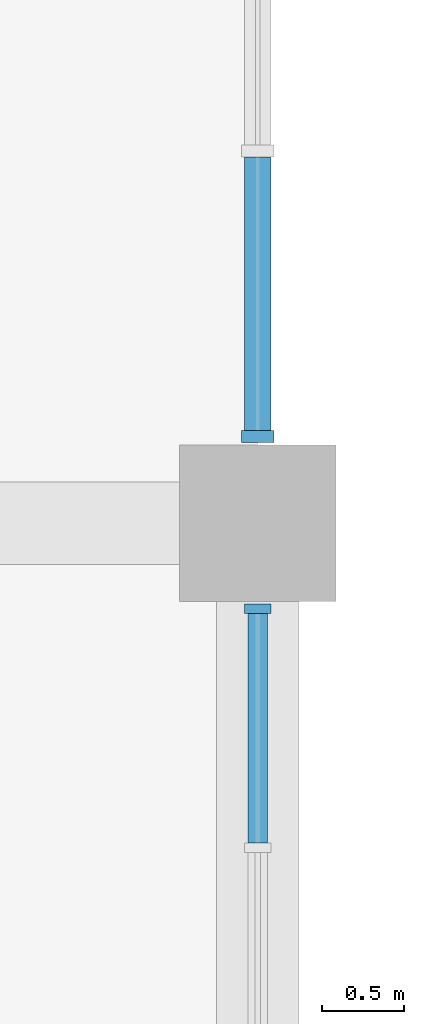
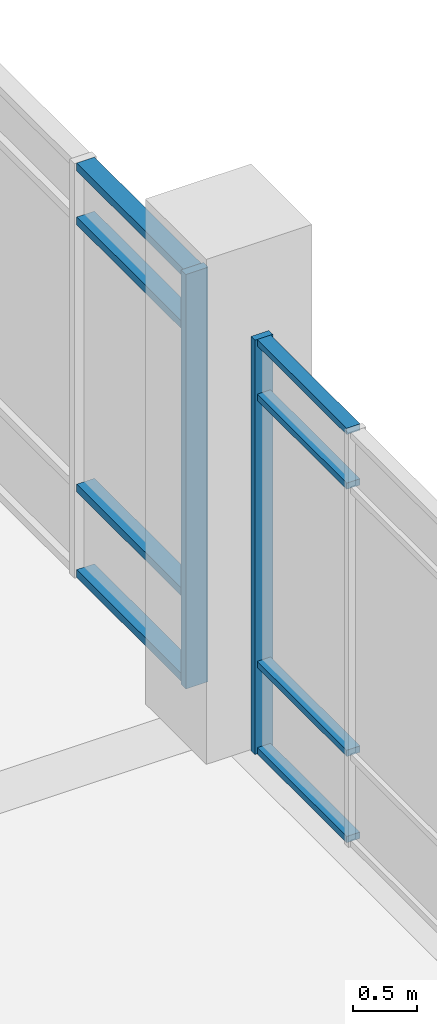
# One storey, part 77 of 152: 10 members, 2 elements without a shape of their own.
"""IFC4 building model written with IfcOpenShell, lengths in metres."""

import ifcopenshell
import ifcopenshell.guid

model = None  # the IFC model being written
_history = None  # IfcOwnerHistory: only IFC2X3 demands one
_inside = {}  # id of a spatial element -> (the spatial element, [elements in it])
_under = {}  # id of a project, library or spatial element -> (it, [spatial elements below it])
_declared = {}  # id of a project -> (the project, [libraries it declares])
_typed = {}  # id of a type object -> (the type object, [elements of that type])
_made_of = {}  # id of a material, layer set ... -> (it, [elements and type objects made of it])


def new_model(schema):
    """Start an empty IFC model of exactly this schema.

    Asked for "IFC4X3", IfcOpenShell would pick the latest addendum, in which some entities
    have other attributes; the version numbers below select the first issue.
    IFC2X3 requires an IfcOwnerHistory on every rooted entity: one is made here for all.
    """
    global model, _history
    if schema == "IFC4X3":
        model = ifcopenshell.file(schema_version=(4, 3, 0, 0))
    else:
        model = ifcopenshell.file(schema=schema)
    _inside.clear()
    _under.clear()
    _declared.clear()
    _typed.clear()
    _made_of.clear()
    _history = None
    if model.schema == "IFC2X3":
        org = make("IfcOrganization", Name="unknown")
        user = make(
            "IfcPersonAndOrganization",
            ThePerson=make("IfcPerson", FamilyName="unknown"),
            TheOrganization=org,
        )
        app = make(
            "IfcApplication",
            ApplicationDeveloper=org,
            Version="unknown",
            ApplicationFullName="unknown",
            ApplicationIdentifier="unknown",
        )
        _history = make(
            "IfcOwnerHistory",
            OwningUser=user,
            OwningApplication=app,
            ChangeAction="ADDED",
            CreationDate=0,
        )
    return model


def make(cls, **values):
    """One entity of the class cls with the attributes given. An attribute that is None is left unset."""
    return model.create_entity(
        cls, **{name: value for name, value in values.items() if value is not None}
    )


def rooted(cls, **values):
    """An entity with a GlobalId (a new one), such as an element, a storey or a relation."""
    return make(cls, GlobalId=ifcopenshell.guid.new(), OwnerHistory=_history, **values)


def si_unit(unit_type, name, prefix=None):
    """IfcSIUnit, for example si_unit("LENGTHUNIT", "METRE", prefix="MILLI")."""
    return make("IfcSIUnit", UnitType=unit_type, Prefix=prefix, Name=name)


def assignment(units):
    """IfcUnitAssignment: the units of a project."""
    return None if units is None else make("IfcUnitAssignment", Units=units)


def point(xyz):
    """IfcCartesianPoint."""
    return None if xyz is None else make("IfcCartesianPoint", Coordinates=xyz)


def direction(xyz):
    """IfcDirection."""
    return None if xyz is None else make("IfcDirection", DirectionRatios=xyz)


def frame(location, z_axis=None, x_axis=None):
    """IfcAxis2Placement3D, a coordinate frame: its origin and axes. An axis left out is left unset."""
    return make(
        "IfcAxis2Placement3D",
        Location=point(location),
        Axis=direction(z_axis),
        RefDirection=direction(x_axis),
    )


def frame_2d(location, x_axis=None):
    """IfcAxis2Placement2D, a coordinate frame in the plane: its origin and x axis."""
    return make(
        "IfcAxis2Placement2D", Location=point(location), RefDirection=direction(x_axis)
    )


def origin():
    """The frame at (0, 0, 0) with its axes left unset."""
    return frame((0.0, 0.0, 0.0))


def origin_2d():
    """The frame at (0, 0) in the plane with its x axis left unset."""
    return frame_2d((0.0, 0.0))


def place(relative_to, where):
    """IfcLocalPlacement: puts the frame where relative to a parent placement (None: the world)."""
    return make(
        "IfcLocalPlacement", PlacementRelTo=relative_to, RelativePlacement=where
    )


def context(
    kind, dimensions, precision=None, world=None, true_north=None, identifier=None
):
    """IfcGeometricRepresentationContext, for example the 3D "Model" context."""
    return make(
        "IfcGeometricRepresentationContext",
        ContextIdentifier=identifier,
        ContextType=kind,
        CoordinateSpaceDimension=dimensions,
        Precision=precision,
        WorldCoordinateSystem=world,
        TrueNorth=true_north,
    )


def subcontext(parent, identifier, kind, view, scale=None):
    """IfcGeometricRepresentationSubContext, for example "Body" below "Model"."""
    return make(
        "IfcGeometricRepresentationSubContext",
        ContextIdentifier=identifier,
        ContextType=kind,
        ParentContext=parent,
        TargetScale=scale,
        TargetView=view,
    )


def project(units=None, contexts=None):
    """IfcProject with its units and contexts."""
    return rooted(
        "IfcProject",
        Name="project",
        RepresentationContexts=contexts,
        UnitsInContext=assignment(units),
    )


def spatial(cls, under=None, at=None, **own):
    """A site, building, storey or space (cls), placed at a placement, below another one or the project."""
    s = rooted(cls, ObjectPlacement=at, **own)
    if under is not None:
        _under.setdefault(under.id(), (under, []))[1].append(s)
    return s


def profile(cls, at=None, kind="AREA", **sizes):
    """A parametric profile (cls). Its sizes go by their IFC names, for example OverallWidth=200.0."""
    return make(cls, ProfileType=kind, Position=at, **sizes)


def rectangle(**sizes):
    """IfcRectangleProfileDef."""
    return profile("IfcRectangleProfileDef", **sizes)


def extrude(swept, where, along, depth):
    """IfcExtrudedAreaSolid: the profile swept, set in the frame where, extruded along a direction by depth."""
    return make(
        "IfcExtrudedAreaSolid",
        SweptArea=swept,
        Position=where,
        ExtrudedDirection=direction(along),
        Depth=depth,
    )


def shape(context_of_items, identifier, shape_type, items):
    """IfcShapeRepresentation: the items that make up one representation, for example the "Body"."""
    return make(
        "IfcShapeRepresentation",
        ContextOfItems=context_of_items,
        RepresentationIdentifier=identifier,
        RepresentationType=shape_type,
        Items=items,
    )


def material(Name=None, Category=None):
    """IfcMaterial."""
    return make("IfcMaterial", Name=Name, Category=Category)


def material_profile(
    of_material, cross_section, Name=None, Category=None, Priority=None
):
    """IfcMaterialProfile: a cross section and its material."""
    return make(
        "IfcMaterialProfile",
        Name=Name,
        Material=of_material,
        Profile=cross_section,
        Priority=Priority,
        Category=Category,
    )


def profile_set(profiles, Name=None, composite=None):
    """IfcMaterialProfileSet."""
    return make(
        "IfcMaterialProfileSet",
        Name=Name,
        MaterialProfiles=profiles,
        CompositeProfile=composite,
    )


def made_of(thing, what):
    """Note that an element or type object is made of a material, layer set ...; save() writes the relation."""
    if what is not None:
        _made_of.setdefault(what.id(), (what, []))[1].append(thing)
    return thing


def type_object(cls, material=None, **own):
    """A type object (cls), such as IfcWallType, which elements share."""
    return made_of(rooted(cls, **own), material)


def element(
    cls,
    number,
    at=None,
    inside=None,
    cuts=None,
    type_object=None,
    material=None,
    context=None,
    identifier="Body",
    shape_type=None,
    held_by="IfcProductDefinitionShape",
    body=None,
    shapes=None,
    **own,
):
    """One element of the class cls, such as IfcWall. Its Tag is "e" and its number.

    at: its placement. inside: the storey or other place that contains it. cuts: it is an
    opening in that element (IfcRelVoidsElement). A single representation is given by context,
    identifier, shape_type and body (its items); several are given by shapes. held_by: the class
    of the entity that holds the representations. save() writes the other relations.
    """
    e = rooted(cls, Tag="e%d" % number, ObjectPlacement=at, **own)
    if body is not None:
        shapes = [shape(context, identifier, shape_type, body)]
    if shapes is not None:
        e.Representation = make(held_by, Representations=shapes)
    if inside is not None:
        _inside.setdefault(inside.id(), (inside, []))[1].append(e)
    if cuts is not None:
        rooted(
            "IfcRelVoidsElement", RelatingBuildingElement=cuts, RelatedOpeningElement=e
        )
    if type_object is not None:
        _typed.setdefault(type_object.id(), (type_object, []))[1].append(e)
    return made_of(e, material)


def aggregate(whole, parts):
    """IfcRelAggregates: a whole, such as a stair, and the parts it consists of."""
    return rooted("IfcRelAggregates", RelatingObject=whole, RelatedObjects=parts)


def save(model, path):
    """Write the relations noted so far, then the file.

    IfcRelAggregates (storeys below a building ...), IfcRelContainedInSpatialStructure (elements
    in a storey), IfcRelDefinesByType, IfcRelAssociatesMaterial and IfcRelDeclares: one each for
    every whole, place, type object, material and project.
    """
    for whole, parts in _under.values():
        aggregate(whole, parts)
    for where, things in _inside.values():
        rooted(
            "IfcRelContainedInSpatialStructure",
            RelatedElements=things,
            RelatingStructure=where,
        )
    for kind, things in _typed.values():
        rooted("IfcRelDefinesByType", RelatedObjects=things, RelatingType=kind)
    for what, things in _made_of.values():
        rooted("IfcRelAssociatesMaterial", RelatedObjects=things, RelatingMaterial=what)
    for by, libraries in _declared.values():
        rooted("IfcRelDeclares", RelatingContext=by, RelatedDefinitions=libraries)
    model.write(path)


model = new_model("IFC4")

# Units and contexts
model_context = context("Model", 3, precision=1e-05, world=origin(), true_north=direction((0.0, 1.0)))
body_context = subcontext(model_context, "Body", "Model", "MODEL_VIEW")
ifc_project = project(units=[si_unit("LENGTHUNIT", "METRE"), si_unit("AREAUNIT", "SQUARE_METRE"), si_unit("VOLUMEUNIT", "CUBIC_METRE"), si_unit("PLANEANGLEUNIT", "RADIAN"), si_unit("MASSUNIT", "GRAM", prefix="KILO")], contexts=[model_context])

# Site, building, storey
site_placement = place(None, origin())
site = spatial("IfcSite", under=ifc_project, at=site_placement, CompositionType="ELEMENT")
building_placement = place(site_placement, origin())
building = spatial("IfcBuilding", under=site, at=building_placement, Name="Oolite Switchyard Hospital", CompositionType="ELEMENT")
storey_placement = place(building_placement, frame((0.0, 0.0, 5.10009765625)))
storey = spatial("IfcBuildingStorey", under=building, at=storey_placement, Name="L01", CompositionType="ELEMENT", Elevation=5.10009765625)

# Curtain wall, member
ifc_material_1 = material(Name="Thermally broken aluminum frame with laminated impact glazing", Category="aluminium")
curtain_wall_type = type_object("IfcCurtainWallType", Name="CW-UNIT-84X48", PredefinedType="USERDEFINED", material=ifc_material_1)
curtain_wall_1_placement = place(storey_placement, origin())
curtain_wall_1 = element("IfcCurtainWall", 1, at=curtain_wall_1_placement, inside=storey, type_object=curtain_wall_type, Name="L01 Unitised Curtain Wall 206", ObjectType="UNITISED", PredefinedType="USERDEFINED")
ifc_material_2 = material(Name="Aluminium 6063-T6", Category="aluminium")
ifc_material_profile_1 = material_profile(ifc_material_2, rectangle(XDim=0.159912109375, YDim=0.06005859375, at=origin_2d()), Name="CWM60X160")
ifc_profile_set_1 = profile_set([ifc_material_profile_1], Name="Aluminium 6063-T6")
member_type_1 = type_object("IfcMemberType", Name="CW-MUL-180", PredefinedType="MULLION", material=ifc_profile_set_1)
member_1_placement = place(storey_placement, frame((211.199951171875, 125.47998046875, 0.0), z_axis=(0.0, 0.0, 1.0), x_axis=(1.0, 0.0, 0.0)))
member_1 = element("IfcMember", 2, at=member_1_placement, type_object=member_type_1, Name="CW-07 mullion 1", PredefinedType="MULLION", context=body_context, shape_type="SweptSolid", body=[
    extrude(rectangle(XDim=0.159912109375, YDim=0.06005859375, at=origin_2d()), origin(), (0.0, 0.0, 1.0), 3.93994140625),
])

curtain_wall_2_placement = place(storey_placement, origin())
curtain_wall_2 = element("IfcCurtainWall", 3, at=curtain_wall_2_placement, inside=storey, type_object=curtain_wall_type, Name="L01 Unitised Curtain Wall 205", ObjectType="UNITISED", PredefinedType="USERDEFINED")
ifc_material_profile_2 = material_profile(ifc_material_2, rectangle(XDim=0.199951171875, YDim=0.074951171875, at=origin_2d()), Name="CWM75X200")
ifc_profile_set_2 = profile_set([ifc_material_profile_2], Name="Aluminium 6063-T6")
member_type_2 = type_object("IfcMemberType", Name="CW-MUL-260", PredefinedType="MULLION", material=ifc_profile_set_2)
member_2_placement = place(storey_placement, frame((211.199951171875, 126.527587890625, 0.0), z_axis=(0.0, 0.0, 1.0), x_axis=(1.0, 0.0, 0.0)))
member_2 = element("IfcMember", 4, at=member_2_placement, type_object=member_type_2, Name="CW-07 mullion 3", PredefinedType="MULLION", context=body_context, shape_type="SweptSolid", body=[
    extrude(rectangle(XDim=0.199951171875, YDim=0.074951171875, at=origin_2d()), origin(), (0.0, 0.0, 1.0), 3.93994140625),
])

# Member
ifc_material_profile_3 = material_profile(ifc_material_2, rectangle(XDim=0.1201171875, YDim=0.06005859375, at=origin_2d()), Name="CWT60X120")
ifc_profile_set_3 = profile_set([ifc_material_profile_3], Name="Aluminium 6063-T6")
member_type_3 = type_object("IfcMemberType", Name="CW-TRN-150", PredefinedType="USERDEFINED", material=ifc_profile_set_3)
member_3_placement = place(storey_placement, frame((211.199951171875, 125.449951171875, 0.02978515625), z_axis=(0.0, -1.0, 0.0), x_axis=(1.0, 0.0, 0.0)))
member_3 = element("IfcMember", 5, at=member_3_placement, type_object=member_type_3, Name="CW-07 transom 1.1", ObjectType="TRANSOM", PredefinedType="USERDEFINED", context=body_context, shape_type="SweptSolid", body=[
    extrude(rectangle(XDim=0.1201171875, YDim=0.06005859375, at=origin_2d()), origin(), (0.0, 0.0, 1.0), 1.39404296875),
])

member_4_placement = place(storey_placement, frame((211.199951171875, 125.449951171875, 0.849853515625), z_axis=(0.0, -1.0, 0.0), x_axis=(1.0, 0.0, 0.0)))
member_4 = element("IfcMember", 6, at=member_4_placement, type_object=member_type_3, Name="CW-07 transom 1.2", ObjectType="TRANSOM", PredefinedType="USERDEFINED", context=body_context, shape_type="SweptSolid", body=[
    extrude(rectangle(XDim=0.1201171875, YDim=0.06005859375, at=origin_2d()), origin(), (0.0, 0.0, 1.0), 1.39404296875),
])

member_5_placement = place(storey_placement, frame((211.199951171875, 125.449951171875, 3.389892578125), z_axis=(0.0, -1.0, 0.0), x_axis=(1.0, 0.0, 0.0)))
member_5 = element("IfcMember", 7, at=member_5_placement, type_object=member_type_3, Name="CW-07 transom 1.3", ObjectType="TRANSOM", PredefinedType="USERDEFINED", context=body_context, shape_type="SweptSolid", body=[
    extrude(rectangle(XDim=0.1201171875, YDim=0.06005859375, at=origin_2d()), origin(), (0.0, 0.0, 1.0), 1.39404296875),
])

member_6_placement = place(storey_placement, frame((211.199951171875, 125.449951171875, 3.909912109375), z_axis=(0.0, -1.0, 0.0), x_axis=(1.0, 0.0, 0.0)))
member_6 = element("IfcMember", 8, at=member_6_placement, type_object=member_type_3, Name="CW-07 transom 1.4", ObjectType="TRANSOM", PredefinedType="USERDEFINED", context=body_context, shape_type="SweptSolid", body=[
    extrude(rectangle(XDim=0.1201171875, YDim=0.06005859375, at=origin_2d()), origin(), (0.0, 0.0, 1.0), 1.39404296875),
])

aggregate(curtain_wall_1, [member_1, member_3, member_4, member_5, member_6])

ifc_material_profile_4 = material_profile(ifc_material_2, rectangle(XDim=0.159912109375, YDim=0.074951171875, at=origin_2d()), Name="CWT75X160")
ifc_profile_set_4 = profile_set([ifc_material_profile_4], Name="Aluminium 6063-T6")
member_type_4 = type_object("IfcMemberType", Name="CW-TRN-180", PredefinedType="USERDEFINED", material=ifc_profile_set_4)
member_7_placement = place(storey_placement, frame((211.199951171875, 128.2275390625, 0.037353515625), z_axis=(0.0, -1.0, 0.0), x_axis=(1.0, 0.0, 0.0)))
member_7 = element("IfcMember", 9, at=member_7_placement, type_object=member_type_4, Name="CW-07 transom 2.1", ObjectType="TRANSOM", PredefinedType="USERDEFINED", context=body_context, shape_type="SweptSolid", body=[
    extrude(rectangle(XDim=0.159912109375, YDim=0.074951171875, at=origin_2d()), origin(), (0.0, 0.0, 1.0), 1.66259765625),
])

member_8_placement = place(storey_placement, frame((211.199951171875, 128.2275390625, 0.849853515625), z_axis=(0.0, -1.0, 0.0), x_axis=(1.0, 0.0, 0.0)))
member_8 = element("IfcMember", 10, at=member_8_placement, type_object=member_type_4, Name="CW-07 transom 2.2", ObjectType="TRANSOM", PredefinedType="USERDEFINED", context=body_context, shape_type="SweptSolid", body=[
    extrude(rectangle(XDim=0.159912109375, YDim=0.074951171875, at=origin_2d()), origin(), (0.0, 0.0, 1.0), 1.66259765625),
])

member_9_placement = place(storey_placement, frame((211.199951171875, 128.2275390625, 3.389892578125), z_axis=(0.0, -1.0, 0.0), x_axis=(1.0, 0.0, 0.0)))
member_9 = element("IfcMember", 11, at=member_9_placement, type_object=member_type_4, Name="CW-07 transom 2.3", ObjectType="TRANSOM", PredefinedType="USERDEFINED", context=body_context, shape_type="SweptSolid", body=[
    extrude(rectangle(XDim=0.159912109375, YDim=0.074951171875, at=origin_2d()), origin(), (0.0, 0.0, 1.0), 1.66259765625),
])

member_10_placement = place(storey_placement, frame((211.199951171875, 128.2275390625, 3.90234375), z_axis=(0.0, -1.0, 0.0), x_axis=(1.0, 0.0, 0.0)))
member_10 = element("IfcMember", 12, at=member_10_placement, type_object=member_type_4, Name="CW-07 transom 2.4", ObjectType="TRANSOM", PredefinedType="USERDEFINED", context=body_context, shape_type="SweptSolid", body=[
    extrude(rectangle(XDim=0.159912109375, YDim=0.074951171875, at=origin_2d()), origin(), (0.0, 0.0, 1.0), 1.66259765625),
])

aggregate(curtain_wall_2, [member_2, member_7, member_8, member_9, member_10])

save(model, "model.ifc")
